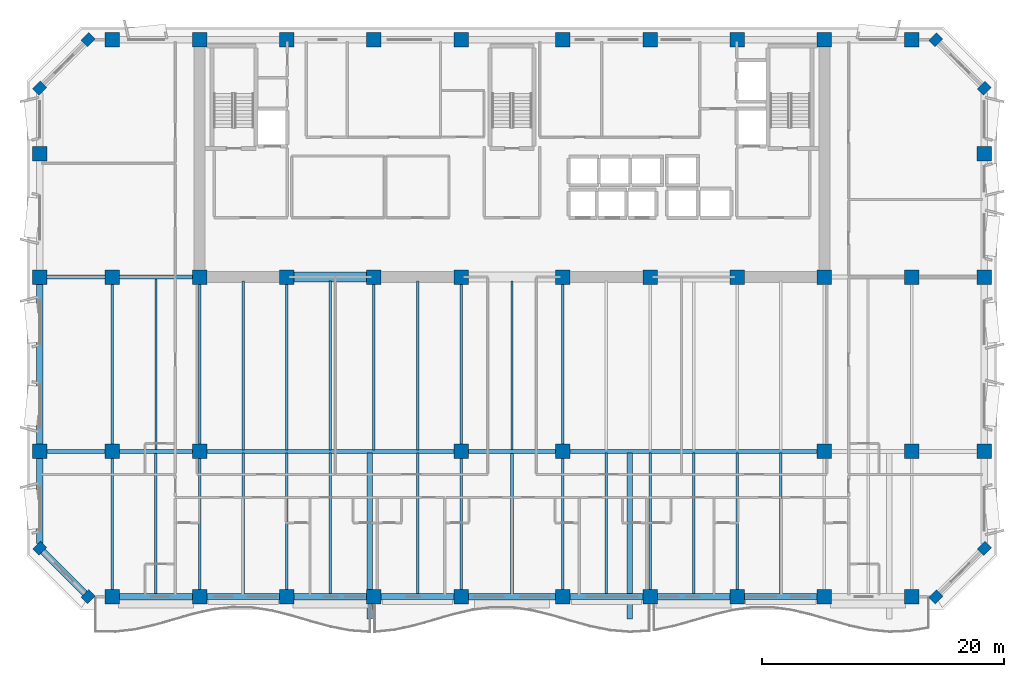
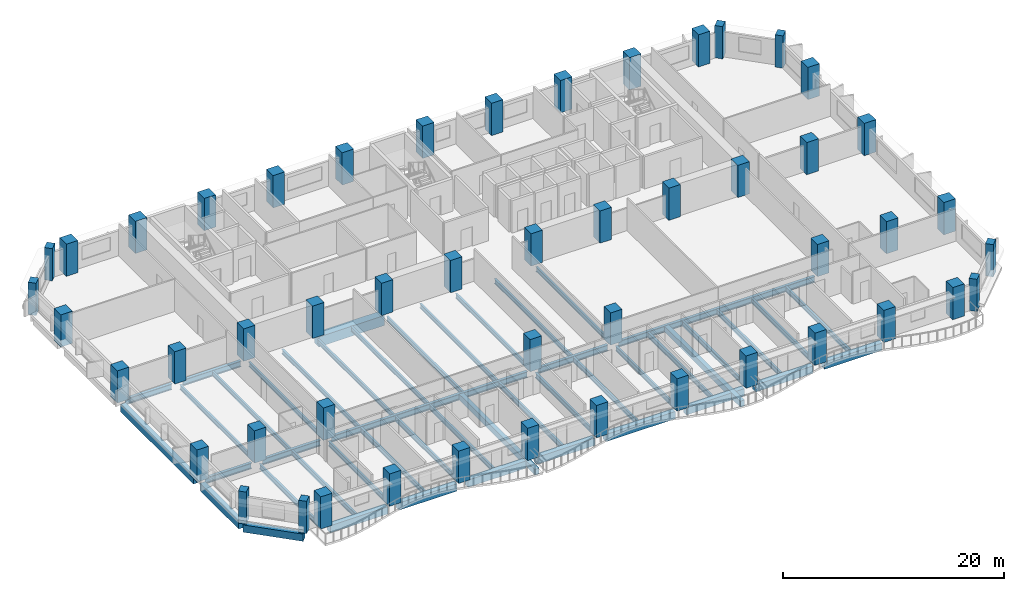
# One storey, part 1 of 15: 50 columns, 47 beams.
"""IFC4 building model written with IfcOpenShell, lengths in metres."""

from ifc_helpers import new_model, si_unit, direction, frame, origin, origin_2d, place, context, subcontext, project, spatial, rectangle, i_section, extrude, material, material_profile, profile_set, type_object, element, save


model = new_model("IFC4")

# Units and contexts
model_context = context("Model", 3, precision=1e-05, world=origin(), true_north=direction((0.0, 1.0)))
body_context = subcontext(model_context, "Body", "Model", "MODEL_VIEW")
ifc_project = project(units=[si_unit("LENGTHUNIT", "METRE"), si_unit("AREAUNIT", "SQUARE_METRE"), si_unit("VOLUMEUNIT", "CUBIC_METRE"), si_unit("PLANEANGLEUNIT", "RADIAN"), si_unit("MASSUNIT", "GRAM", prefix="KILO")], contexts=[model_context])

# Site, building, storey
site_placement = place(None, origin())
site = spatial("IfcSite", under=ifc_project, at=site_placement, CompositionType="ELEMENT")
building_placement = place(site_placement, origin())
building = spatial("IfcBuilding", under=site, at=building_placement, Name="Kaelvorn Grand Hotel", CompositionType="ELEMENT")
storey_placement = place(building_placement, frame((0.0, 0.0, 142.949951171875)))
storey = spatial("IfcBuildingStorey", under=building, at=storey_placement, Name="L34", CompositionType="ELEMENT", Elevation=142.949951171875)

# Columns
ifc_material_1 = material(Name="Concrete C60/75", Category="concrete")
ifc_material_profile_1 = material_profile(ifc_material_1, rectangle(XDim=0.89990234375, YDim=0.75, at=origin_2d()), Name="RC PILASTER 900x750")
ifc_profile_set_1 = profile_set([ifc_material_profile_1], Name="Concrete C60/75")
column_type_1 = type_object("IfcColumnType", Name="COL-PIL-900x750-C60", PredefinedType="PILASTER", material=ifc_profile_set_1)
for number, where, z_axis, x_axis, name in (
    (1, (7.0, 3.0, 0.0), (0.0, 0.0, 1.0), (0.707106781187, 0.707106781187, 0.0), "L34 Structural Column CH-01"),
    (2, (77.0, 3.0, 0.0), (0.0, 0.0, 1.0), (0.707106781187, 0.707106781187, 0.0), "L34 Structural Column CH-02"),
    (3, (81.0, 7.0, 0.0), (0.0, 0.0, 1.0), (0.707106781187, 0.707106781187, 0.0), "L34 Structural Column CH-03"),
    (4, (81.0, 45.0, 0.0), (0.0, 0.0, 1.0), (0.707106781187, 0.707106781187, 0.0), "L34 Structural Column CH-04"),
    (5, (77.0, 49.0, 0.0), (0.0, 0.0, 1.0), (0.707106781187, 0.707106781187, 0.0), "L34 Structural Column CH-05"),
    (6, (7.0, 49.0, 0.0), (0.0, 0.0, 1.0), (0.707106781187, 0.707106781187, 0.0), "L34 Structural Column CH-06"),
    (7, (3.0, 45.0, 0.0), (0.0, 0.0, 1.0), (0.707106781187, 0.707106781187, 0.0), "L34 Structural Column CH-07"),
    (8, (3.0, 7.0, 0.0), (0.0, 0.0, 1.0), (0.707106781187, 0.707106781187, 0.0), "L34 Structural Column CH-08"),
):
    element("IfcColumn", number, at=place(storey_placement, frame(where, z_axis=z_axis, x_axis=x_axis)), inside=storey, type_object=column_type_1, Name=name, PredefinedType="PILASTER", context=body_context, shape_type="SweptSolid", body=[
        extrude(rectangle(XDim=0.89990234375, YDim=0.75, at=origin_2d()), origin(), (0.0, 0.0, 1.0), 3.56005859375),
    ])
ifc_material_profile_2 = material_profile(ifc_material_1, rectangle(XDim=1.199951171875, YDim=1.199951171875, at=origin_2d()), Name="RC COL 1200x1200")
ifc_profile_set_2 = profile_set([ifc_material_profile_2], Name="Concrete C60/75")
column_type_2 = type_object("IfcColumnType", Name="COL-RC-1200-C60", PredefinedType="COLUMN", material=ifc_profile_set_2)
for number, where, z_axis, x_axis, name in (
    (9, (9.0, 3.0, 0.0), (0.0, 0.0, 1.0), (1.0, 0.0, 0.0), "L34 Structural Column S-01"),
    (10, (16.199951171875, 3.0, 0.0), (0.0, 0.0, 1.0), (1.0, 0.0, 0.0), "L34 Structural Column S-02"),
    (11, (23.39990234375, 3.0, 0.0), (0.0, 0.0, 1.0), (1.0, 0.0, 0.0), "L34 Structural Column S-03"),
    (12, (30.60009765625, 3.0, 0.0), (0.0, 0.0, 1.0), (1.0, 0.0, 0.0), "L34 Structural Column S-04"),
    (13, (37.800048828125, 3.0, 0.0), (0.0, 0.0, 1.0), (1.0, 0.0, 0.0), "L34 Structural Column S-05"),
    (14, (46.199951171875, 3.0, 0.0), (0.0, 0.0, 1.0), (1.0, 0.0, 0.0), "L34 Structural Column S-06"),
    (15, (53.39990234375, 3.0, 0.0), (0.0, 0.0, 1.0), (1.0, 0.0, 0.0), "L34 Structural Column S-07"),
    (16, (60.60009765625, 3.0, 0.0), (0.0, 0.0, 1.0), (1.0, 0.0, 0.0), "L34 Structural Column S-08"),
    (17, (67.800048828125, 3.0, 0.0), (0.0, 0.0, 1.0), (1.0, 0.0, 0.0), "L34 Structural Column S-09"),
    (18, (75.0, 3.0, 0.0), (0.0, 0.0, 1.0), (1.0, 0.0, 0.0), "L34 Structural Column S-10"),
    (19, (3.0, 15.0, 0.0), (0.0, 0.0, 1.0), (1.0, 0.0, 0.0), "L34 Structural Column W-01"),
    (20, (81.0, 15.0, 0.0), (0.0, 0.0, 1.0), (1.0, 0.0, 0.0), "L34 Structural Column E-01"),
    (21, (3.0, 29.39990234375, 0.0), (0.0, 0.0, 1.0), (1.0, 0.0, 0.0), "L34 Structural Column W-02"),
    (22, (81.0, 29.39990234375, 0.0), (0.0, 0.0, 1.0), (1.0, 0.0, 0.0), "L34 Structural Column E-02"),
    (23, (3.0, 39.60009765625, 0.0), (0.0, 0.0, 1.0), (1.0, 0.0, 0.0), "L34 Structural Column W-03"),
    (24, (81.0, 39.60009765625, 0.0), (0.0, 0.0, 1.0), (1.0, 0.0, 0.0), "L34 Structural Column E-03"),
    (25, (9.0, 15.0, 0.0), (0.0, 0.0, 1.0), (1.0, 0.0, 0.0), "L34 Structural Column M-01"),
    (26, (16.199951171875, 15.0, 0.0), (0.0, 0.0, 1.0), (1.0, 0.0, 0.0), "L34 Structural Column M-02"),
    (27, (37.800048828125, 15.0, 0.0), (0.0, 0.0, 1.0), (1.0, 0.0, 0.0), "L34 Structural Column M-03"),
    (28, (46.199951171875, 15.0, 0.0), (0.0, 0.0, 1.0), (1.0, 0.0, 0.0), "L34 Structural Column M-04"),
    (29, (67.800048828125, 15.0, 0.0), (0.0, 0.0, 1.0), (1.0, 0.0, 0.0), "L34 Structural Column M-05"),
    (30, (75.0, 15.0, 0.0), (0.0, 0.0, 1.0), (1.0, 0.0, 0.0), "L34 Structural Column M-06"),
    (31, (9.0, 29.39990234375, 0.0), (0.0, 0.0, 1.0), (1.0, 0.0, 0.0), "L34 Structural Column CR1-01"),
    (32, (9.0, 49.0, 0.0), (0.0, 0.0, 1.0), (1.0, 0.0, 0.0), "L34 Structural Column CR2-01"),
    (33, (16.199951171875, 29.39990234375, 0.0), (0.0, 0.0, 1.0), (1.0, 0.0, 0.0), "L34 Structural Column CR1-02"),
    (34, (16.199951171875, 49.0, 0.0), (0.0, 0.0, 1.0), (1.0, 0.0, 0.0), "L34 Structural Column CR2-02"),
    (35, (23.39990234375, 29.39990234375, 0.0), (0.0, 0.0, 1.0), (1.0, 0.0, 0.0), "L34 Structural Column CR1-03"),
    (36, (23.39990234375, 49.0, 0.0), (0.0, 0.0, 1.0), (1.0, 0.0, 0.0), "L34 Structural Column CR2-03"),
    (37, (30.60009765625, 29.39990234375, 0.0), (0.0, 0.0, 1.0), (1.0, 0.0, 0.0), "L34 Structural Column CR1-04"),
    (38, (30.60009765625, 49.0, 0.0), (0.0, 0.0, 1.0), (1.0, 0.0, 0.0), "L34 Structural Column CR2-04"),
    (39, (37.800048828125, 29.39990234375, 0.0), (0.0, 0.0, 1.0), (1.0, 0.0, 0.0), "L34 Structural Column CR1-05"),
    (40, (37.800048828125, 49.0, 0.0), (0.0, 0.0, 1.0), (1.0, 0.0, 0.0), "L34 Structural Column CR2-05"),
    (41, (46.199951171875, 29.39990234375, 0.0), (0.0, 0.0, 1.0), (1.0, 0.0, 0.0), "L34 Structural Column CR1-06"),
    (42, (46.199951171875, 49.0, 0.0), (0.0, 0.0, 1.0), (1.0, 0.0, 0.0), "L34 Structural Column CR2-06"),
    (43, (53.39990234375, 29.39990234375, 0.0), (0.0, 0.0, 1.0), (1.0, 0.0, 0.0), "L34 Structural Column CR1-07"),
    (44, (53.39990234375, 49.0, 0.0), (0.0, 0.0, 1.0), (1.0, 0.0, 0.0), "L34 Structural Column CR2-07"),
    (45, (60.60009765625, 29.39990234375, 0.0), (0.0, 0.0, 1.0), (1.0, 0.0, 0.0), "L34 Structural Column CR1-08"),
    (46, (60.60009765625, 49.0, 0.0), (0.0, 0.0, 1.0), (1.0, 0.0, 0.0), "L34 Structural Column CR2-08"),
    (47, (67.800048828125, 29.39990234375, 0.0), (0.0, 0.0, 1.0), (1.0, 0.0, 0.0), "L34 Structural Column CR1-09"),
    (48, (67.800048828125, 49.0, 0.0), (0.0, 0.0, 1.0), (1.0, 0.0, 0.0), "L34 Structural Column CR2-09"),
    (49, (75.0, 29.39990234375, 0.0), (0.0, 0.0, 1.0), (1.0, 0.0, 0.0), "L34 Structural Column CR1-10"),
    (50, (75.0, 49.0, 0.0), (0.0, 0.0, 1.0), (1.0, 0.0, 0.0), "L34 Structural Column CR2-10"),
):
    element("IfcColumn", number, at=place(storey_placement, frame(where, z_axis=z_axis, x_axis=x_axis)), inside=storey, type_object=column_type_2, Name=name, PredefinedType="COLUMN", context=body_context, shape_type="SweptSolid", body=[
        extrude(rectangle(XDim=1.199951171875, YDim=1.199951171875, at=origin_2d()), origin(), (0.0, 0.0, 1.0), 3.56005859375),
    ])

# Beams
ifc_material_2 = material(Name="Steel S355", Category="steel")
ifc_material_profile_3 = material_profile(ifc_material_2, i_section(OverallWidth=0.300048828125, OverallDepth=0.64990234375, WebThickness=0.01611328125, FlangeThickness=0.031005859375, FilletRadius=0.027099609375, at=origin_2d()), Name="HEB 650")
ifc_profile_set_3 = profile_set([ifc_material_profile_3], Name="Steel S355")
beam_type_1 = type_object("IfcBeamType", Name="BM-G-HEB650-S355", PredefinedType="BEAM", material=ifc_profile_set_3)
beam_1_placement = place(storey_placement, frame((3.5849609375, 15.0, -0.56494140625), z_axis=(1.0, 0.0, 0.0), x_axis=(0.0, 1.0, 0.0)))
element("IfcBeam", 51, at=beam_1_placement, inside=storey, type_object=beam_type_1, Name="L34 Primary Spine Steel Girder G-15 01", PredefinedType="BEAM", context=body_context, shape_type="SweptSolid", body=[
    extrude(i_section(OverallWidth=0.300048828125, OverallDepth=0.64990234375, WebThickness=0.01611328125, FlangeThickness=0.031005859375, FilletRadius=0.027099609375, at=origin_2d()), origin(), (0.0, 0.0, 1.0), 4.830078125),
])
beam_2_placement = place(storey_placement, frame((9.5849609375, 15.0, -0.56494140625), z_axis=(1.0, 0.0, 0.0), x_axis=(0.0, 1.0, 0.0)))
element("IfcBeam", 52, at=beam_2_placement, inside=storey, type_object=beam_type_1, Name="L34 Primary Spine Steel Girder G-15 02", PredefinedType="BEAM", context=body_context, shape_type="SweptSolid", body=[
    extrude(i_section(OverallWidth=0.300048828125, OverallDepth=0.64990234375, WebThickness=0.01611328125, FlangeThickness=0.031005859375, FilletRadius=0.027099609375, at=origin_2d()), origin(), (0.0, 0.0, 1.0), 6.030029296875),
])
beam_3_placement = place(storey_placement, frame((16.784912109375, 15.0, -0.56494140625), z_axis=(1.0, 0.0, 0.0), x_axis=(0.0, 1.0, 0.0)))
element("IfcBeam", 53, at=beam_3_placement, inside=storey, type_object=beam_type_1, Name="L34 Primary Spine Steel Girder G-15 03", PredefinedType="BEAM", context=body_context, shape_type="SweptSolid", body=[
    extrude(i_section(OverallWidth=0.300048828125, OverallDepth=0.64990234375, WebThickness=0.01611328125, FlangeThickness=0.031005859375, FilletRadius=0.027099609375, at=origin_2d()), origin(), (0.0, 0.0, 1.0), 20.43017578125),
])
beam_4_placement = place(storey_placement, frame((38.385009765625, 15.0, -0.56494140625), z_axis=(1.0, 0.0, 0.0), x_axis=(0.0, 1.0, 0.0)))
element("IfcBeam", 54, at=beam_4_placement, inside=storey, type_object=beam_type_1, Name="L34 Primary Spine Steel Girder G-15 04", PredefinedType="BEAM", context=body_context, shape_type="SweptSolid", body=[
    extrude(i_section(OverallWidth=0.300048828125, OverallDepth=0.64990234375, WebThickness=0.01611328125, FlangeThickness=0.031005859375, FilletRadius=0.027099609375, at=origin_2d()), origin(), (0.0, 0.0, 1.0), 7.22998046875),
])
beam_5_placement = place(storey_placement, frame((46.784912109375, 15.0, -0.56494140625), z_axis=(1.0, 0.0, 0.0), x_axis=(0.0, 1.0, 0.0)))
element("IfcBeam", 55, at=beam_5_placement, inside=storey, type_object=beam_type_1, Name="L34 Primary Spine Steel Girder G-15 05", PredefinedType="BEAM", context=body_context, shape_type="SweptSolid", body=[
    extrude(i_section(OverallWidth=0.300048828125, OverallDepth=0.64990234375, WebThickness=0.01611328125, FlangeThickness=0.031005859375, FilletRadius=0.027099609375, at=origin_2d()), origin(), (0.0, 0.0, 1.0), 20.43017578125),
])
beam_6_placement = place(storey_placement, frame((3.5849609375, 29.39990234375, -0.56494140625), z_axis=(1.0, 0.0, 0.0), x_axis=(0.0, 1.0, 0.0)))
element("IfcBeam", 56, at=beam_6_placement, inside=storey, type_object=beam_type_1, Name="L34 West Core Wing Steel Girder G-29W 01", PredefinedType="BEAM", context=body_context, shape_type="SweptSolid", body=[
    extrude(i_section(OverallWidth=0.300048828125, OverallDepth=0.64990234375, WebThickness=0.01611328125, FlangeThickness=0.031005859375, FilletRadius=0.027099609375, at=origin_2d()), origin(), (0.0, 0.0, 1.0), 4.830078125),
])
beam_7_placement = place(storey_placement, frame((9.5849609375, 29.39990234375, -0.56494140625), z_axis=(1.0, 0.0, 0.0), x_axis=(0.0, 1.0, 0.0)))
element("IfcBeam", 57, at=beam_7_placement, inside=storey, type_object=beam_type_1, Name="L34 West Core Wing Steel Girder G-29W 02", PredefinedType="BEAM", context=body_context, shape_type="SweptSolid", body=[
    extrude(i_section(OverallWidth=0.300048828125, OverallDepth=0.64990234375, WebThickness=0.01611328125, FlangeThickness=0.031005859375, FilletRadius=0.027099609375, at=origin_2d()), origin(), (0.0, 0.0, 1.0), 6.030029296875),
])
ifc_material_profile_4 = material_profile(ifc_material_2, i_section(OverallWidth=0.199951171875, OverallDepth=0.5, WebThickness=0.01025390625, FlangeThickness=0.01611328125, FilletRadius=0.02099609375, at=origin_2d()), Name="IPE 500")
ifc_profile_set_4 = profile_set([ifc_material_profile_4], Name="Steel S355")
beam_type_2 = type_object("IfcBeamType", Name="BM-J-IPE500-S355", PredefinedType="JOIST", material=ifc_profile_set_4)
beam_8_placement = place(storey_placement, frame((9.0, 15.5849609375, -0.489990234375), z_axis=(0.0, 1.0, 0.0), x_axis=(-1.0, 0.0, 0.0)))
element("IfcBeam", 58, at=beam_8_placement, inside=storey, type_object=beam_type_2, Name="L34 Composite Floor Joist JM-03", PredefinedType="JOIST", context=body_context, shape_type="SweptSolid", body=[
    extrude(i_section(OverallWidth=0.199951171875, OverallDepth=0.5, WebThickness=0.01025390625, FlangeThickness=0.01611328125, FilletRadius=0.02099609375, at=origin_2d()), origin(), (0.0, 0.0, 1.0), 13.22998046875),
])
beam_9_placement = place(storey_placement, frame((12.60009765625, 15.135009765625, -0.489990234375), z_axis=(0.0, 1.0, 0.0), x_axis=(-1.0, 0.0, 0.0)))
element("IfcBeam", 59, at=beam_9_placement, inside=storey, type_object=beam_type_2, Name="L34 Composite Floor Joist JM-04", PredefinedType="JOIST", context=body_context, shape_type="SweptSolid", body=[
    extrude(i_section(OverallWidth=0.199951171875, OverallDepth=0.5, WebThickness=0.01025390625, FlangeThickness=0.01611328125, FilletRadius=0.02099609375, at=origin_2d()), origin(), (0.0, 0.0, 1.0), 14.1298828125),
])
beam_10_placement = place(storey_placement, frame((16.199951171875, 15.5849609375, -0.489990234375), z_axis=(0.0, 1.0, 0.0), x_axis=(-1.0, 0.0, 0.0)))
element("IfcBeam", 60, at=beam_10_placement, inside=storey, type_object=beam_type_2, Name="L34 Composite Floor Joist JM-05", PredefinedType="JOIST", context=body_context, shape_type="SweptSolid", body=[
    extrude(i_section(OverallWidth=0.199951171875, OverallDepth=0.5, WebThickness=0.01025390625, FlangeThickness=0.01611328125, FilletRadius=0.02099609375, at=origin_2d()), origin(), (0.0, 0.0, 1.0), 13.22998046875),
])
beam_11_placement = place(storey_placement, frame((19.800048828125, 15.135009765625, -0.489990234375), z_axis=(0.0, 1.0, 0.0), x_axis=(-1.0, 0.0, 0.0)))
element("IfcBeam", 61, at=beam_11_placement, inside=storey, type_object=beam_type_2, Name="L34 Composite Floor Joist JM-06", PredefinedType="JOIST", context=body_context, shape_type="SweptSolid", body=[
    extrude(i_section(OverallWidth=0.199951171875, OverallDepth=0.5, WebThickness=0.01025390625, FlangeThickness=0.01611328125, FilletRadius=0.02099609375, at=origin_2d()), origin(), (0.0, 0.0, 1.0), 13.925048828125),
])
beam_12_placement = place(storey_placement, frame((23.39990234375, 15.135009765625, -0.489990234375), z_axis=(0.0, 1.0, 0.0), x_axis=(-1.0, 0.0, 0.0)))
element("IfcBeam", 62, at=beam_12_placement, inside=storey, type_object=beam_type_2, Name="L34 Composite Floor Joist JM-07", PredefinedType="JOIST", context=body_context, shape_type="SweptSolid", body=[
    extrude(i_section(OverallWidth=0.199951171875, OverallDepth=0.5, WebThickness=0.01025390625, FlangeThickness=0.01611328125, FilletRadius=0.02099609375, at=origin_2d()), origin(), (0.0, 0.0, 1.0), 13.679931640625),
])
beam_13_placement = place(storey_placement, frame((27.0, 15.135009765625, -0.489990234375), z_axis=(0.0, 1.0, 0.0), x_axis=(-1.0, 0.0, 0.0)))
element("IfcBeam", 63, at=beam_13_placement, inside=storey, type_object=beam_type_2, Name="L34 Composite Floor Joist JM-08", PredefinedType="JOIST", context=body_context, shape_type="SweptSolid", body=[
    extrude(i_section(OverallWidth=0.199951171875, OverallDepth=0.5, WebThickness=0.01025390625, FlangeThickness=0.01611328125, FilletRadius=0.02099609375, at=origin_2d()), origin(), (0.0, 0.0, 1.0), 13.925048828125),
])
beam_14_placement = place(storey_placement, frame((30.60009765625, 15.135009765625, -0.489990234375), z_axis=(0.0, 1.0, 0.0), x_axis=(-1.0, 0.0, 0.0)))
element("IfcBeam", 64, at=beam_14_placement, inside=storey, type_object=beam_type_2, Name="L34 Composite Floor Joist JM-09", PredefinedType="JOIST", context=body_context, shape_type="SweptSolid", body=[
    extrude(i_section(OverallWidth=0.199951171875, OverallDepth=0.5, WebThickness=0.01025390625, FlangeThickness=0.01611328125, FilletRadius=0.02099609375, at=origin_2d()), origin(), (0.0, 0.0, 1.0), 13.679931640625),
])
beam_15_placement = place(storey_placement, frame((34.199951171875, 15.135009765625, -0.489990234375), z_axis=(0.0, 1.0, 0.0), x_axis=(-1.0, 0.0, 0.0)))
element("IfcBeam", 65, at=beam_15_placement, inside=storey, type_object=beam_type_2, Name="L34 Composite Floor Joist JM-10", PredefinedType="JOIST", context=body_context, shape_type="SweptSolid", body=[
    extrude(i_section(OverallWidth=0.199951171875, OverallDepth=0.5, WebThickness=0.01025390625, FlangeThickness=0.01611328125, FilletRadius=0.02099609375, at=origin_2d()), origin(), (0.0, 0.0, 1.0), 13.925048828125),
])
beam_16_placement = place(storey_placement, frame((37.800048828125, 15.5849609375, -0.489990234375), z_axis=(0.0, 1.0, 0.0), x_axis=(-1.0, 0.0, 0.0)))
element("IfcBeam", 66, at=beam_16_placement, inside=storey, type_object=beam_type_2, Name="L34 Composite Floor Joist JM-11", PredefinedType="JOIST", context=body_context, shape_type="SweptSolid", body=[
    extrude(i_section(OverallWidth=0.199951171875, OverallDepth=0.5, WebThickness=0.01025390625, FlangeThickness=0.01611328125, FilletRadius=0.02099609375, at=origin_2d()), origin(), (0.0, 0.0, 1.0), 13.22998046875),
])
beam_17_placement = place(storey_placement, frame((42.0, 15.135009765625, -0.489990234375), z_axis=(0.0, 1.0, 0.0), x_axis=(-1.0, 0.0, 0.0)))
element("IfcBeam", 67, at=beam_17_placement, inside=storey, type_object=beam_type_2, Name="L34 Composite Floor Joist JM-12", PredefinedType="JOIST", context=body_context, shape_type="SweptSolid", body=[
    extrude(i_section(OverallWidth=0.199951171875, OverallDepth=0.5, WebThickness=0.01025390625, FlangeThickness=0.01611328125, FilletRadius=0.02099609375, at=origin_2d()), origin(), (0.0, 0.0, 1.0), 13.925048828125),
])
beam_18_placement = place(storey_placement, frame((46.199951171875, 15.5849609375, -0.489990234375), z_axis=(0.0, 1.0, 0.0), x_axis=(-1.0, 0.0, 0.0)))
element("IfcBeam", 68, at=beam_18_placement, inside=storey, type_object=beam_type_2, Name="L34 Composite Floor Joist JM-13", PredefinedType="JOIST", context=body_context, shape_type="SweptSolid", body=[
    extrude(i_section(OverallWidth=0.199951171875, OverallDepth=0.5, WebThickness=0.01025390625, FlangeThickness=0.01611328125, FilletRadius=0.02099609375, at=origin_2d()), origin(), (0.0, 0.0, 1.0), 13.22998046875),
])
ifc_material_profile_5 = material_profile(ifc_material_2, i_section(OverallWidth=0.2099609375, OverallDepth=0.550048828125, WebThickness=0.010986328125, FlangeThickness=0.01708984375, FilletRadius=0.02392578125, at=origin_2d()), Name="IPE 550")
ifc_profile_set_5 = profile_set([ifc_material_profile_5], Name="Steel S355")
beam_type_3 = type_object("IfcBeamType", Name="BM-J-IPE550-S355", PredefinedType="JOIST", material=ifc_profile_set_5)
beam_19_placement = place(storey_placement, frame((9.0, 3.5849609375, -0.514892578125), z_axis=(0.0, 1.0, 0.0), x_axis=(-1.0, 0.0, 0.0)))
element("IfcBeam", 69, at=beam_19_placement, inside=storey, type_object=beam_type_3, Name="L34 Composite Floor Joist JS-03", PredefinedType="JOIST", context=body_context, shape_type="SweptSolid", body=[
    extrude(i_section(OverallWidth=0.2099609375, OverallDepth=0.550048828125, WebThickness=0.010986328125, FlangeThickness=0.01708984375, FilletRadius=0.02392578125, at=origin_2d()), origin(), (0.0, 0.0, 1.0), 10.830078125),
])
beam_20_placement = place(storey_placement, frame((12.60009765625, 3.260009765625, -0.514892578125), z_axis=(0.0, 1.0, 0.0), x_axis=(-1.0, 0.0, 0.0)))
element("IfcBeam", 70, at=beam_20_placement, inside=storey, type_object=beam_type_3, Name="L34 Composite Floor Joist JS-04", PredefinedType="JOIST", context=body_context, shape_type="SweptSolid", body=[
    extrude(i_section(OverallWidth=0.2099609375, OverallDepth=0.550048828125, WebThickness=0.010986328125, FlangeThickness=0.01708984375, FilletRadius=0.02392578125, at=origin_2d()), origin(), (0.0, 0.0, 1.0), 11.60498046875),
])
beam_21_placement = place(storey_placement, frame((16.199951171875, 3.5849609375, -0.514892578125), z_axis=(0.0, 1.0, 0.0), x_axis=(-1.0, 0.0, 0.0)))
element("IfcBeam", 71, at=beam_21_placement, inside=storey, type_object=beam_type_3, Name="L34 Composite Floor Joist JS-05", PredefinedType="JOIST", context=body_context, shape_type="SweptSolid", body=[
    extrude(i_section(OverallWidth=0.2099609375, OverallDepth=0.550048828125, WebThickness=0.010986328125, FlangeThickness=0.01708984375, FilletRadius=0.02392578125, at=origin_2d()), origin(), (0.0, 0.0, 1.0), 10.830078125),
])
beam_22_placement = place(storey_placement, frame((19.800048828125, 3.260009765625, -0.514892578125), z_axis=(0.0, 1.0, 0.0), x_axis=(-1.0, 0.0, 0.0)))
element("IfcBeam", 72, at=beam_22_placement, inside=storey, type_object=beam_type_3, Name="L34 Composite Floor Joist JS-06", PredefinedType="JOIST", context=body_context, shape_type="SweptSolid", body=[
    extrude(i_section(OverallWidth=0.2099609375, OverallDepth=0.550048828125, WebThickness=0.010986328125, FlangeThickness=0.01708984375, FilletRadius=0.02392578125, at=origin_2d()), origin(), (0.0, 0.0, 1.0), 11.60498046875),
])
beam_23_placement = place(storey_placement, frame((23.39990234375, 3.5849609375, -0.514892578125), z_axis=(0.0, 1.0, 0.0), x_axis=(-1.0, 0.0, 0.0)))
element("IfcBeam", 73, at=beam_23_placement, inside=storey, type_object=beam_type_3, Name="L34 Composite Floor Joist JS-07", PredefinedType="JOIST", context=body_context, shape_type="SweptSolid", body=[
    extrude(i_section(OverallWidth=0.2099609375, OverallDepth=0.550048828125, WebThickness=0.010986328125, FlangeThickness=0.01708984375, FilletRadius=0.02392578125, at=origin_2d()), origin(), (0.0, 0.0, 1.0), 11.280029296875),
])
for number, where, z_axis, x_axis, name in (
    (74, (27.0, 3.260009765625, -0.514892578125), (0.0, 1.0, 0.0), (-1.0, 0.0, 0.0), "L34 Composite Floor Joist JS-08"),
    (75, (34.199951171875, 3.260009765625, -0.514892578125), (0.0, 1.0, 0.0), (-1.0, 0.0, 0.0), "L34 Composite Floor Joist JS-10"),
):
    element("IfcBeam", number, at=place(storey_placement, frame(where, z_axis=z_axis, x_axis=x_axis)), inside=storey, type_object=beam_type_3, Name=name, PredefinedType="JOIST", context=body_context, shape_type="SweptSolid", body=[
        extrude(i_section(OverallWidth=0.2099609375, OverallDepth=0.550048828125, WebThickness=0.010986328125, FlangeThickness=0.01708984375, FilletRadius=0.02392578125, at=origin_2d()), origin(), (0.0, 0.0, 1.0), 11.60498046875),
    ])
beam_24_placement = place(storey_placement, frame((37.800048828125, 3.5849609375, -0.514892578125), z_axis=(0.0, 1.0, 0.0), x_axis=(-1.0, 0.0, 0.0)))
element("IfcBeam", 76, at=beam_24_placement, inside=storey, type_object=beam_type_3, Name="L34 Composite Floor Joist JS-11", PredefinedType="JOIST", context=body_context, shape_type="SweptSolid", body=[
    extrude(i_section(OverallWidth=0.2099609375, OverallDepth=0.550048828125, WebThickness=0.010986328125, FlangeThickness=0.01708984375, FilletRadius=0.02392578125, at=origin_2d()), origin(), (0.0, 0.0, 1.0), 10.830078125),
])
beam_25_placement = place(storey_placement, frame((42.0, 3.260009765625, -0.514892578125), z_axis=(0.0, 1.0, 0.0), x_axis=(-1.0, 0.0, 0.0)))
element("IfcBeam", 77, at=beam_25_placement, inside=storey, type_object=beam_type_3, Name="L34 Composite Floor Joist JS-12", PredefinedType="JOIST", context=body_context, shape_type="SweptSolid", body=[
    extrude(i_section(OverallWidth=0.2099609375, OverallDepth=0.550048828125, WebThickness=0.010986328125, FlangeThickness=0.01708984375, FilletRadius=0.02392578125, at=origin_2d()), origin(), (0.0, 0.0, 1.0), 11.60498046875),
])
beam_26_placement = place(storey_placement, frame((46.199951171875, 3.5849609375, -0.514892578125), z_axis=(0.0, 1.0, 0.0), x_axis=(-1.0, 0.0, 0.0)))
element("IfcBeam", 78, at=beam_26_placement, inside=storey, type_object=beam_type_3, Name="L34 Composite Floor Joist JS-13", PredefinedType="JOIST", context=body_context, shape_type="SweptSolid", body=[
    extrude(i_section(OverallWidth=0.2099609375, OverallDepth=0.550048828125, WebThickness=0.010986328125, FlangeThickness=0.01708984375, FilletRadius=0.02392578125, at=origin_2d()), origin(), (0.0, 0.0, 1.0), 10.830078125),
])
beam_27_placement = place(storey_placement, frame((49.800048828125, 3.260009765625, -0.514892578125), z_axis=(0.0, 1.0, 0.0), x_axis=(-1.0, 0.0, 0.0)))
element("IfcBeam", 79, at=beam_27_placement, inside=storey, type_object=beam_type_3, Name="L34 Composite Floor Joist JS-14", PredefinedType="JOIST", context=body_context, shape_type="SweptSolid", body=[
    extrude(i_section(OverallWidth=0.2099609375, OverallDepth=0.550048828125, WebThickness=0.010986328125, FlangeThickness=0.01708984375, FilletRadius=0.02392578125, at=origin_2d()), origin(), (0.0, 0.0, 1.0), 11.60498046875),
])
beam_28_placement = place(storey_placement, frame((53.39990234375, 3.5849609375, -0.514892578125), z_axis=(0.0, 1.0, 0.0), x_axis=(-1.0, 0.0, 0.0)))
element("IfcBeam", 80, at=beam_28_placement, inside=storey, type_object=beam_type_3, Name="L34 Composite Floor Joist JS-15", PredefinedType="JOIST", context=body_context, shape_type="SweptSolid", body=[
    extrude(i_section(OverallWidth=0.2099609375, OverallDepth=0.550048828125, WebThickness=0.010986328125, FlangeThickness=0.01708984375, FilletRadius=0.02392578125, at=origin_2d()), origin(), (0.0, 0.0, 1.0), 11.280029296875),
])
beam_29_placement = place(storey_placement, frame((57.0, 3.260009765625, -0.514892578125), z_axis=(0.0, 1.0, 0.0), x_axis=(-1.0, 0.0, 0.0)))
element("IfcBeam", 81, at=beam_29_placement, inside=storey, type_object=beam_type_3, Name="L34 Composite Floor Joist JS-16", PredefinedType="JOIST", context=body_context, shape_type="SweptSolid", body=[
    extrude(i_section(OverallWidth=0.2099609375, OverallDepth=0.550048828125, WebThickness=0.010986328125, FlangeThickness=0.01708984375, FilletRadius=0.02392578125, at=origin_2d()), origin(), (0.0, 0.0, 1.0), 11.60498046875),
])
beam_30_placement = place(storey_placement, frame((60.60009765625, 3.5849609375, -0.514892578125), z_axis=(0.0, 1.0, 0.0), x_axis=(-1.0, 0.0, 0.0)))
element("IfcBeam", 82, at=beam_30_placement, inside=storey, type_object=beam_type_3, Name="L34 Composite Floor Joist JS-17", PredefinedType="JOIST", context=body_context, shape_type="SweptSolid", body=[
    extrude(i_section(OverallWidth=0.2099609375, OverallDepth=0.550048828125, WebThickness=0.010986328125, FlangeThickness=0.01708984375, FilletRadius=0.02392578125, at=origin_2d()), origin(), (0.0, 0.0, 1.0), 11.280029296875),
])
beam_31_placement = place(storey_placement, frame((64.199951171875, 3.260009765625, -0.514892578125), z_axis=(0.0, 1.0, 0.0), x_axis=(-1.0, 0.0, 0.0)))
element("IfcBeam", 83, at=beam_31_placement, inside=storey, type_object=beam_type_3, Name="L34 Composite Floor Joist JS-18", PredefinedType="JOIST", context=body_context, shape_type="SweptSolid", body=[
    extrude(i_section(OverallWidth=0.2099609375, OverallDepth=0.550048828125, WebThickness=0.010986328125, FlangeThickness=0.01708984375, FilletRadius=0.02392578125, at=origin_2d()), origin(), (0.0, 0.0, 1.0), 11.60498046875),
])
ifc_material_profile_6 = material_profile(ifc_material_1, rectangle(XDim=0.800048828125, YDim=1.10009765625, at=origin_2d()), Name="RC LINTEL 800x1100")
ifc_profile_set_6 = profile_set([ifc_material_profile_6], Name="Concrete C60/75")
beam_type_4 = type_object("IfcBeamType", Name="BM-LIN-800x1100-C60", PredefinedType="LINTEL", material=ifc_profile_set_6)
beam_32_placement = place(storey_placement, frame((23.580078125, 29.39990234375, -0.7900390625), z_axis=(1.0, 0.0, 0.0), x_axis=(0.0, 1.0, 0.0)))
element("IfcBeam", 84, at=beam_32_placement, inside=storey, type_object=beam_type_4, Name="L34 Rear-Core Coupling Lintel Beam CB1-01", PredefinedType="LINTEL", context=body_context, shape_type="SweptSolid", body=[
    extrude(rectangle(XDim=0.800048828125, YDim=1.10009765625, at=origin_2d()), origin(), (0.0, 0.0, 1.0), 6.83984375),
])
ifc_material_3 = material(Name="Concrete C40/50", Category="concrete")
ifc_material_profile_7 = material_profile(ifc_material_3, rectangle(XDim=0.449951171875, YDim=0.64990234375, at=origin_2d()), Name="RC RIB 450x650")
ifc_profile_set_7 = profile_set([ifc_material_profile_7], Name="Concrete C40/50")
beam_type_5 = type_object("IfcBeamType", Name="BM-RIB-450x650-C40", PredefinedType="SPANDREL", material=ifc_profile_set_7)
for number, where, z_axis, x_axis, name in (
    (85, (30.2666015625, 1.14990234375, -0.544921875), (0.0, 1.0, 0.0), (-1.0, 0.0, 0.0), "L34 Cantilevered Balcony Back-Span Rib RB1-1"),
    (86, (51.71435546875, 1.14990234375, -0.544921875), (0.0, 1.0, 0.0), (-1.0, 0.0, 0.0), "L34 Cantilevered Balcony Back-Span Rib RB1-2"),
):
    element("IfcBeam", number, at=place(storey_placement, frame(where, z_axis=z_axis, x_axis=x_axis)), inside=storey, type_object=beam_type_5, Name=name, PredefinedType="SPANDREL", context=body_context, shape_type="SweptSolid", body=[
        extrude(rectangle(XDim=0.449951171875, YDim=0.64990234375, at=origin_2d()), origin(), (0.0, 0.0, 1.0), 13.715087890625),
    ])
ifc_material_4 = material(Name="Concrete C50/60", Category="concrete")
ifc_material_profile_8 = material_profile(ifc_material_4, rectangle(XDim=0.550048828125, YDim=0.800048828125, at=origin_2d()), Name="RC SPANDREL 550x800")
ifc_profile_set_8 = profile_set([ifc_material_profile_8], Name="Concrete C50/60")
beam_type_6 = type_object("IfcBeamType", Name="BM-SP-550x800-C50", PredefinedType="SPANDREL", material=ifc_profile_set_8)
for number, where, z_axis, x_axis, name in (
    (87, (9.5849609375, 3.0, -0.639892578125), (1.0, 0.0, 0.0), (0.0, 1.0, 0.0), "L34 South Perimeter Spandrel 02"),
    (88, (16.784912109375, 3.0, -0.639892578125), (1.0, 0.0, 0.0), (0.0, 1.0, 0.0), "L34 South Perimeter Spandrel 03"),
):
    element("IfcBeam", number, at=place(storey_placement, frame(where, z_axis=z_axis, x_axis=x_axis)), inside=storey, type_object=beam_type_6, Name=name, PredefinedType="SPANDREL", context=body_context, shape_type="SweptSolid", body=[
        extrude(rectangle(XDim=0.550048828125, YDim=0.800048828125, at=origin_2d()), origin(), (0.0, 0.0, 1.0), 6.030029296875),
    ])
beam_33_placement = place(storey_placement, frame((23.985107421875, 3.0, -0.639892578125), z_axis=(1.0, 0.0, 0.0), x_axis=(0.0, 1.0, 0.0)))
element("IfcBeam", 89, at=beam_33_placement, inside=storey, type_object=beam_type_6, Name="L34 South Perimeter Spandrel 04", PredefinedType="SPANDREL", context=body_context, shape_type="SweptSolid", body=[
    extrude(rectangle(XDim=0.550048828125, YDim=0.800048828125, at=origin_2d()), origin(), (0.0, 0.0, 1.0), 6.02978515625),
])
beam_34_placement = place(storey_placement, frame((31.18505859375, 3.0, -0.639892578125), z_axis=(1.0, 0.0, 0.0), x_axis=(0.0, 1.0, 0.0)))
element("IfcBeam", 90, at=beam_34_placement, inside=storey, type_object=beam_type_6, Name="L34 South Perimeter Spandrel 05", PredefinedType="SPANDREL", context=body_context, shape_type="SweptSolid", body=[
    extrude(rectangle(XDim=0.550048828125, YDim=0.800048828125, at=origin_2d()), origin(), (0.0, 0.0, 1.0), 6.030029296875),
])
beam_35_placement = place(storey_placement, frame((38.385009765625, 3.0, -0.639892578125), z_axis=(1.0, 0.0, 0.0), x_axis=(0.0, 1.0, 0.0)))
element("IfcBeam", 91, at=beam_35_placement, inside=storey, type_object=beam_type_6, Name="L34 South Perimeter Spandrel 06", PredefinedType="SPANDREL", context=body_context, shape_type="SweptSolid", body=[
    extrude(rectangle(XDim=0.550048828125, YDim=0.800048828125, at=origin_2d()), origin(), (0.0, 0.0, 1.0), 7.22998046875),
])
beam_36_placement = place(storey_placement, frame((46.784912109375, 3.0, -0.639892578125), z_axis=(1.0, 0.0, 0.0), x_axis=(0.0, 1.0, 0.0)))
element("IfcBeam", 92, at=beam_36_placement, inside=storey, type_object=beam_type_6, Name="L34 South Perimeter Spandrel 07", PredefinedType="SPANDREL", context=body_context, shape_type="SweptSolid", body=[
    extrude(rectangle(XDim=0.550048828125, YDim=0.800048828125, at=origin_2d()), origin(), (0.0, 0.0, 1.0), 6.030029296875),
])
beam_37_placement = place(storey_placement, frame((53.985107421875, 3.0, -0.639892578125), z_axis=(1.0, 0.0, 0.0), x_axis=(0.0, 1.0, 0.0)))
element("IfcBeam", 93, at=beam_37_placement, inside=storey, type_object=beam_type_6, Name="L34 South Perimeter Spandrel 08", PredefinedType="SPANDREL", context=body_context, shape_type="SweptSolid", body=[
    extrude(rectangle(XDim=0.550048828125, YDim=0.800048828125, at=origin_2d()), origin(), (0.0, 0.0, 1.0), 6.02978515625),
])
beam_38_placement = place(storey_placement, frame((61.18505859375, 3.0, -0.639892578125), z_axis=(1.0, 0.0, 0.0), x_axis=(0.0, 1.0, 0.0)))
element("IfcBeam", 94, at=beam_38_placement, inside=storey, type_object=beam_type_6, Name="L34 South Perimeter Spandrel 09", PredefinedType="SPANDREL", context=body_context, shape_type="SweptSolid", body=[
    extrude(rectangle(XDim=0.550048828125, YDim=0.800048828125, at=origin_2d()), origin(), (0.0, 0.0, 1.0), 6.030029296875),
])
beam_39_placement = place(storey_placement, frame((3.0, 7.405029296875, -0.639892578125), z_axis=(0.0, 1.0, 0.0), x_axis=(-1.0, 0.0, 0.0)))
element("IfcBeam", 95, at=beam_39_placement, inside=storey, type_object=beam_type_6, Name="L34 West Perimeter Spandrel 01", PredefinedType="SPANDREL", context=body_context, shape_type="SweptSolid", body=[
    extrude(rectangle(XDim=0.550048828125, YDim=0.800048828125, at=origin_2d()), origin(), (0.0, 0.0, 1.0), 7.010009765625),
])
beam_40_placement = place(storey_placement, frame((3.0, 15.5849609375, -0.639892578125), z_axis=(0.0, 1.0, 0.0), x_axis=(-1.0, 0.0, 0.0)))
element("IfcBeam", 96, at=beam_40_placement, inside=storey, type_object=beam_type_6, Name="L34 West Perimeter Spandrel 02", PredefinedType="SPANDREL", context=body_context, shape_type="SweptSolid", body=[
    extrude(rectangle(XDim=0.550048828125, YDim=0.800048828125, at=origin_2d()), origin(), (0.0, 0.0, 1.0), 13.22998046875),
])
beam_41_placement = place(storey_placement, frame((3.0, 7.0, -0.639892578125), z_axis=(0.707106781187, -0.707106781187, 0.0), x_axis=(0.707106781187, 0.707106781187, 0.0)))
element("IfcBeam", 97, at=beam_41_placement, inside=storey, type_object=beam_type_6, Name="L34 Chamfer Spandrel Beam 4", PredefinedType="SPANDREL", context=body_context, shape_type="SweptSolid", body=[
    extrude(rectangle(XDim=0.550048828125, YDim=0.800048828125, at=origin_2d()), origin(), (0.0, 0.0, 1.0), 5.65673828125),
])

save(model, "model.ifc")
